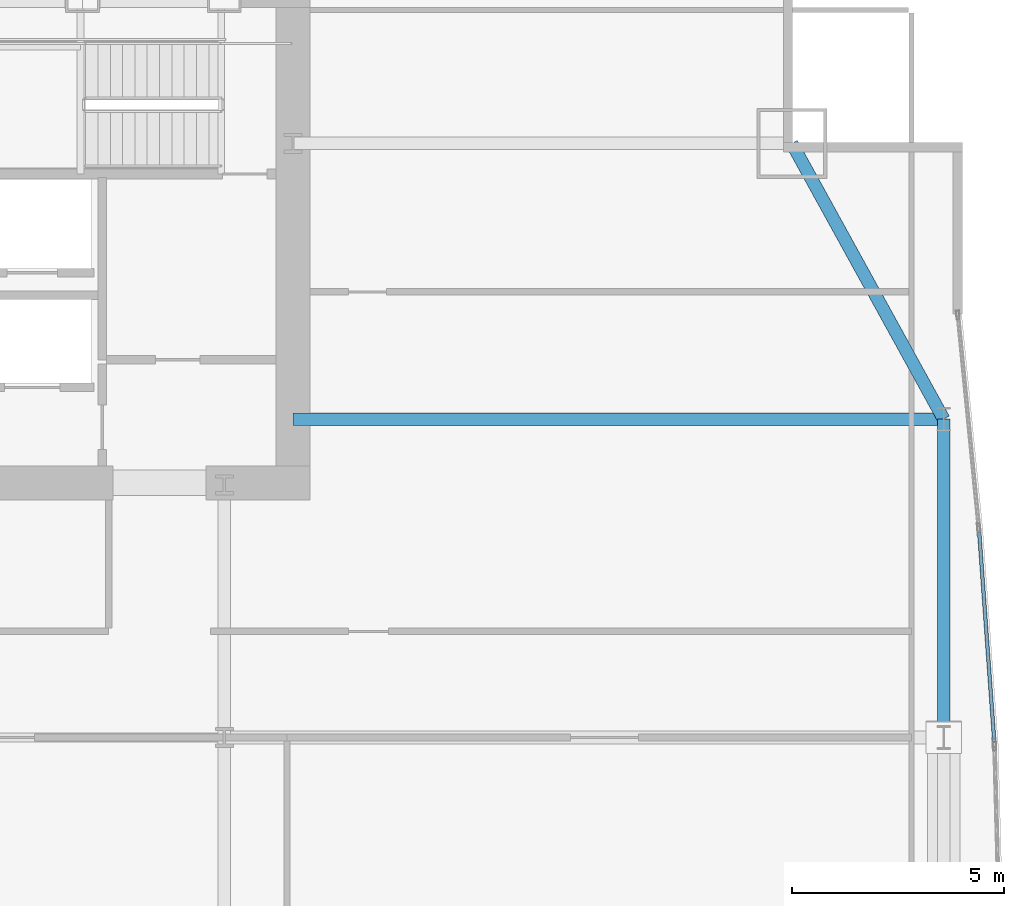
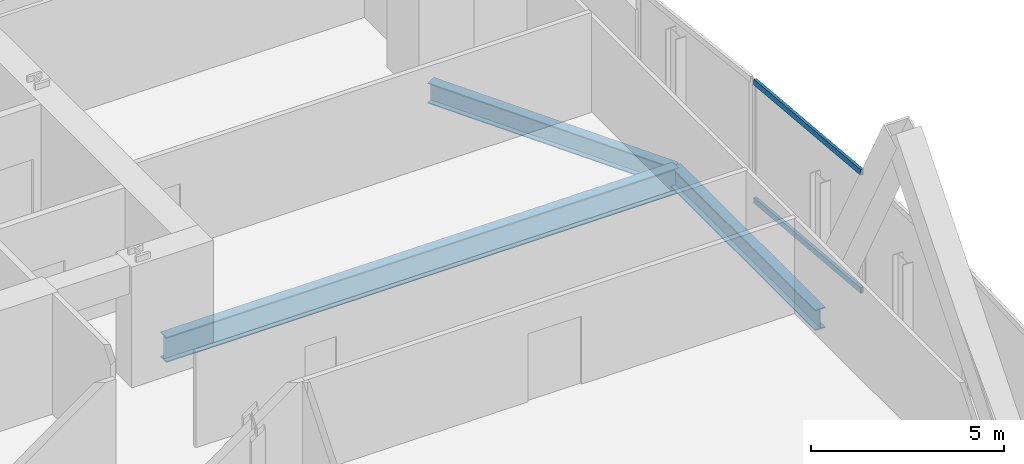
# One storey, part 23 of 33: 3 beams, 2 members, 1 element without a shape of its own.
"""IFC4 building model written with IfcOpenShell, lengths in metres."""

from ifc_helpers import new_model, si_unit, direction, frame, origin, origin_2d, place, context, subcontext, project, spatial, hollow_rectangle, i_section, extrude, material, material_profile, profile_set, type_object, element, aggregate, save


model = new_model("IFC4")

# Units and contexts
model_context = context("Model", 3, precision=1e-05, world=origin(), true_north=direction((0.0, 1.0)))
body_context = subcontext(model_context, "Body", "Model", "MODEL_VIEW")
ifc_project = project(units=[si_unit("LENGTHUNIT", "METRE"), si_unit("AREAUNIT", "SQUARE_METRE"), si_unit("VOLUMEUNIT", "CUBIC_METRE"), si_unit("PLANEANGLEUNIT", "RADIAN"), si_unit("MASSUNIT", "GRAM", prefix="KILO")], contexts=[model_context])

# Site, building, storey
site_placement = place(None, origin())
site = spatial("IfcSite", under=ifc_project, at=site_placement, CompositionType="ELEMENT")
building_placement = place(site_placement, origin())
building = spatial("IfcBuilding", under=site, at=building_placement, Name="Khoronbel Lancet Exchange", CompositionType="ELEMENT")
storey_placement = place(building_placement, frame((0.0, 0.0, 73.800048828125)))
storey = spatial("IfcBuildingStorey", under=building, at=storey_placement, Name="L17", CompositionType="ELEMENT", Elevation=73.800048828125)

# Beams
ifc_material_1 = material(Name="Steel S355", Category="steel")
ifc_material_profile_1 = material_profile(ifc_material_1, i_section(OverallWidth=0.300048828125, OverallDepth=0.800048828125, WebThickness=0.017578125, FlangeThickness=0.032958984375, at=origin_2d()), Name="HEB 800")
ifc_profile_set_1 = profile_set([ifc_material_profile_1], Name="Steel S355")
beam_type_1 = type_object("IfcBeamType", Name="BM-BG2", PredefinedType="BEAM", material=ifc_profile_set_1)
beam_1_placement = place(storey_placement, frame((56.300048828125, 43.199951171875, -0.580078125), z_axis=(1.0, 0.0, 0.0), x_axis=(0.0, 1.0, 0.0)))
element("IfcBeam", 1, at=beam_1_placement, inside=storey, type_object=beam_type_1, Name="Level L17 east lens tie girder LG3E", PredefinedType="BEAM", context=body_context, shape_type="SweptSolid", body=[
    extrude(i_section(OverallWidth=0.300048828125, OverallDepth=0.800048828125, WebThickness=0.017578125, FlangeThickness=0.032958984375, at=origin_2d()), origin(), (0.0, 0.0, 1.0), 15.329833984375),
])
ifc_material_profile_2 = material_profile(ifc_material_1, i_section(OverallWidth=0.300048828125, OverallDepth=0.64990234375, WebThickness=0.01611328125, FlangeThickness=0.031005859375, at=origin_2d()), Name="HEB 650")
ifc_profile_set_2 = profile_set([ifc_material_profile_2], Name="Steel S355")
beam_type_2 = type_object("IfcBeamType", Name="BM-BSP1", PredefinedType="SPANDREL", material=ifc_profile_set_2)
beam_2_placement = place(storey_placement, frame((71.6298828125, 35.699951171875, -0.505126953125), z_axis=(0.0, 1.0, 0.0), x_axis=(-1.0, 0.0, 0.0)))
element("IfcBeam", 2, at=beam_2_placement, inside=storey, type_object=beam_type_2, Name="Level L17 perimeter spandrel beam SP14", PredefinedType="SPANDREL", context=body_context, shape_type="SweptSolid", body=[
    extrude(i_section(OverallWidth=0.300048828125, OverallDepth=0.64990234375, WebThickness=0.01611328125, FlangeThickness=0.031005859375, at=origin_2d()), origin(), (0.0, 0.0, 1.0), 7.5),
])
beam_3_placement = place(storey_placement, frame((71.6298828125, 43.199951171875, -0.505126953125), z_axis=(-0.482418808117, 0.875940690672, 0.0), x_axis=(-0.875940690672, -0.482418808117, 0.0)))
element("IfcBeam", 3, at=beam_3_placement, inside=storey, type_object=beam_type_2, Name="Level L17 perimeter spandrel beam SP15", PredefinedType="SPANDREL", context=body_context, shape_type="SweptSolid", body=[
    extrude(i_section(OverallWidth=0.300048828125, OverallDepth=0.64990234375, WebThickness=0.01611328125, FlangeThickness=0.031005859375, at=origin_2d()), origin(), (0.0, 0.0, 1.0), 7.420654296875),
])

# Curtain wall, members
ifc_material_2 = material(Name="Low-E Solar Control Insulating Glass", Category="glass")
curtain_wall_type = type_object("IfcCurtainWallType", Name="CW-4", PredefinedType="NOTDEFINED", material=ifc_material_2)
curtain_wall_placement = place(storey_placement, origin())
curtain_wall = element("IfcCurtainWall", 4, at=curtain_wall_placement, inside=storey, type_object=curtain_wall_type, Name="Unitised curtain wall CW-L17-E18", PredefinedType="NOTDEFINED")
ifc_material_3 = material(Name="Bronze-Anodised Aluminium 6063-T6", Category="aluminium")
ifc_material_profile_3 = material_profile(ifc_material_3, hollow_rectangle(XDim=0.0849609375, YDim=0.179931640625, WallThickness=0.0048828125, at=origin_2d()), Name="ALU TRANSOM 85x180")
ifc_profile_set_3 = profile_set([ifc_material_profile_3], Name="Bronze-Anodised Aluminium 6063-T6")
member_type = type_object("IfcMemberType", Name="MEM-CWT1", PredefinedType="USERDEFINED", material=ifc_profile_set_3)
member_1_placement = place(storey_placement, frame((72.465576171875, 40.5341796875, 0.04248046875), z_axis=(0.071861267489, -0.997414637067, 0.0), x_axis=(0.997414637067, 0.071861267489, 0.0)))
member_1 = element("IfcMember", 5, at=member_1_placement, type_object=member_type, Name="CW4 transom 1.1", ObjectType="TRANSOM", PredefinedType="USERDEFINED", context=body_context, shape_type="SweptSolid", body=[
    extrude(hollow_rectangle(XDim=0.0849609375, YDim=0.179931640625, WallThickness=0.0048828125, at=origin_2d()), origin(), (0.0, 0.0, 1.0), 4.943115234375),
])
member_2_placement = place(storey_placement, frame((72.465576171875, 40.5341796875, 3.77734375), z_axis=(0.071861267489, -0.997414637067, 0.0), x_axis=(0.997414637067, 0.071861267489, 0.0)))
member_2 = element("IfcMember", 6, at=member_2_placement, type_object=member_type, Name="CW4 transom 1.2", ObjectType="TRANSOM", PredefinedType="USERDEFINED", context=body_context, shape_type="SweptSolid", body=[
    extrude(hollow_rectangle(XDim=0.0849609375, YDim=0.179931640625, WallThickness=0.0048828125, at=origin_2d()), origin(), (0.0, 0.0, 1.0), 4.943115234375),
])
aggregate(curtain_wall, [member_1, member_2])

save(model, "model.ifc")
